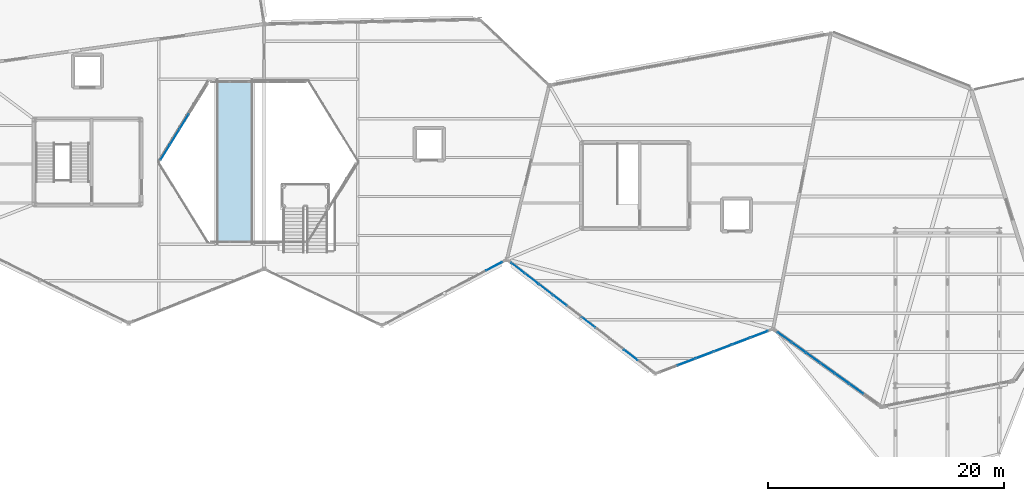
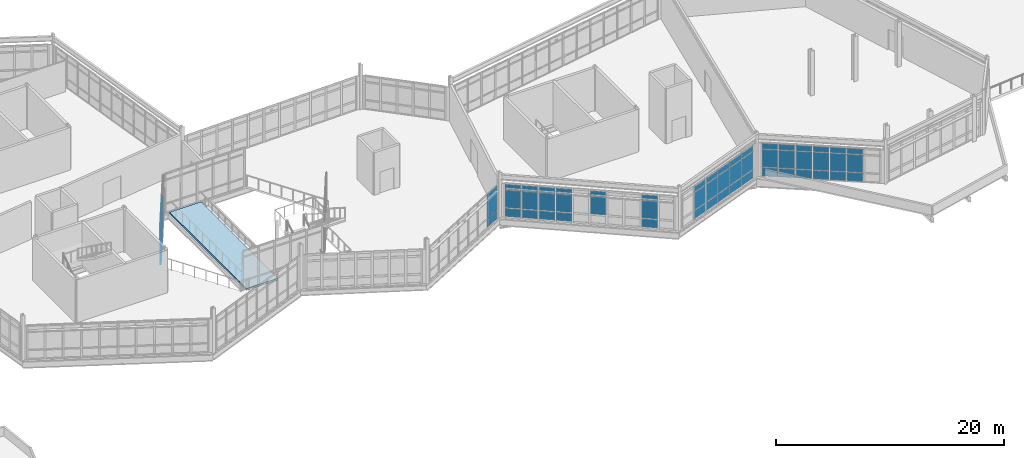
# One storey, part 47 of 76: 62 plates, 1 slab, 5 elements without a shape of their own.
"""IFC4 building model written with IfcOpenShell, lengths in metres."""

from ifc_helpers import new_model, si_unit, direction, frame, origin, origin_2d, place, context, subcontext, project, spatial, polyline, rectangle, outline, extrude, material, layer, layer_set, type_object, element, aggregate, save


model = new_model("IFC4")

# Units and contexts
model_context = context("Model", 3, precision=1e-05, world=origin(), true_north=direction((0.0, 1.0)))
body_context = subcontext(model_context, "Body", "Model", "MODEL_VIEW")
ifc_project = project(units=[si_unit("LENGTHUNIT", "METRE"), si_unit("AREAUNIT", "SQUARE_METRE"), si_unit("VOLUMEUNIT", "CUBIC_METRE"), si_unit("PLANEANGLEUNIT", "RADIAN"), si_unit("MASSUNIT", "GRAM", prefix="KILO")], contexts=[model_context])

# Site, building, storey
site_placement = place(None, origin())
site = spatial("IfcSite", under=ifc_project, at=site_placement, CompositionType="ELEMENT")
building_placement = place(site_placement, origin())
building = spatial("IfcBuilding", under=site, at=building_placement, Name="Tameran Prism Museum", CompositionType="ELEMENT")
storey_placement = place(building_placement, frame((0.0, 0.0, 15.0)))
storey = spatial("IfcBuildingStorey", under=building, at=storey_placement, Name="L03", CompositionType="ELEMENT", Elevation=15.0)

# Curtain wall, plates
ifc_material_1 = material(Name="Anodised Aluminium 6063-T6 and Cyclone Solar Glass", Category="aluminium")
curtain_wall_type_1 = type_object("IfcCurtainWallType", Name="CW-ATR-769x424", PredefinedType="USERDEFINED", material=ifc_material_1)
curtain_wall_1_placement = place(storey_placement, origin())
curtain_wall_1 = element("IfcCurtainWall", 1, at=curtain_wall_1_placement, inside=storey, type_object=curtain_wall_type_1, Name="Unitised Curtain Wall CW-014", ObjectType="UNITISED CURTAIN WALL", PredefinedType="USERDEFINED")
ifc_material_2 = material(Name="Low-E Laminated Solar Glass", Category="glass")
ifc_layer_1 = layer(ifc_material_2, 0.028076171875)
ifc_layer_set_1 = layer_set([ifc_layer_1])
plate_type_1 = type_object("IfcPlateType", Name="CW-PNL-G28", PredefinedType="CURTAIN_PANEL", material=ifc_layer_set_1)
plate_1_placement = place(storey_placement, frame((70.699951171875, 39.89990234375, 0.06494140625), z_axis=(0.0, 0.0, 1.0), x_axis=(-0.525503952357, -0.850791158897, 0.0)))
plate_1 = element("IfcPlate", 2, at=plate_1_placement, type_object=plate_type_1, Name="CW-014 panel 3.1", PredefinedType="CURTAIN_PANEL", context=body_context, shape_type="SweptSolid", body=[
    extrude(rectangle(XDim=1.473388671875, YDim=0.028076171875, at=origin_2d()), origin(), (0.0, 0.0, 1.0), 0.902587890625),
])
plate_2_placement = place(storey_placement, frame((70.699951171875, 39.89990234375, 1.032470703125), z_axis=(0.0, 0.0, 1.0), x_axis=(-0.525503952357, -0.850791158897, 0.0)))
plate_2 = element("IfcPlate", 3, at=plate_2_placement, type_object=plate_type_1, Name="CW-014 panel 3.2", PredefinedType="CURTAIN_PANEL", context=body_context, shape_type="SweptSolid", body=[
    extrude(rectangle(XDim=1.473388671875, YDim=0.028076171875, at=origin_2d()), origin(), (0.0, 0.0, 1.0), 2.4951171875),
])
plate_3_placement = place(storey_placement, frame((70.699951171875, 39.89990234375, 3.592529296875), z_axis=(0.0, 0.0, 1.0), x_axis=(-0.525503952357, -0.850791158897, 0.0)))
plate_3 = element("IfcPlate", 4, at=plate_3_placement, type_object=plate_type_1, Name="CW-014 panel 3.3", PredefinedType="CURTAIN_PANEL", context=body_context, shape_type="SweptSolid", body=[
    extrude(rectangle(XDim=1.473388671875, YDim=0.028076171875, at=origin_2d()), origin(), (0.0, 0.0, 1.0), 0.58251953125),
])
plate_4_placement = place(storey_placement, frame((69.8916015625, 38.59130859375, 0.06494140625), z_axis=(0.0, 0.0, 1.0), x_axis=(-0.525503952357, -0.850791158897, 0.0)))
plate_4 = element("IfcPlate", 5, at=plate_4_placement, type_object=plate_type_1, Name="CW-014 panel 4.1", PredefinedType="CURTAIN_PANEL", context=body_context, shape_type="SweptSolid", body=[
    extrude(rectangle(XDim=1.473388671875, YDim=0.028076171875, at=origin_2d()), origin(), (0.0, 0.0, 1.0), 0.902587890625),
])
plate_5_placement = place(storey_placement, frame((69.8916015625, 38.59130859375, 1.032470703125), z_axis=(0.0, 0.0, 1.0), x_axis=(-0.525503952357, -0.850791158897, 0.0)))
plate_5 = element("IfcPlate", 6, at=plate_5_placement, type_object=plate_type_1, Name="CW-014 panel 4.2", PredefinedType="CURTAIN_PANEL", context=body_context, shape_type="SweptSolid", body=[
    extrude(rectangle(XDim=1.473388671875, YDim=0.028076171875, at=origin_2d()), origin(), (0.0, 0.0, 1.0), 2.4951171875),
])
plate_6_placement = place(storey_placement, frame((69.8916015625, 38.59130859375, 3.592529296875), z_axis=(0.0, 0.0, 1.0), x_axis=(-0.525503952357, -0.850791158897, 0.0)))
plate_6 = element("IfcPlate", 7, at=plate_6_placement, type_object=plate_type_1, Name="CW-014 panel 4.3", PredefinedType="CURTAIN_PANEL", context=body_context, shape_type="SweptSolid", body=[
    extrude(rectangle(XDim=1.473388671875, YDim=0.028076171875, at=origin_2d()), origin(), (0.0, 0.0, 1.0), 0.58251953125),
])
plate_7_placement = place(storey_placement, frame((69.091796875, 37.296142578125, 0.06494140625), z_axis=(0.0, 0.0, 1.0), x_axis=(-0.525503952357, -0.850791158897, 0.0)))
plate_7 = element("IfcPlate", 8, at=plate_7_placement, type_object=plate_type_1, Name="CW-014 panel 5.1", PredefinedType="CURTAIN_PANEL", context=body_context, shape_type="SweptSolid", body=[
    extrude(rectangle(XDim=1.44091796875, YDim=0.028076171875, at=origin_2d()), origin(), (0.0, 0.0, 1.0), 0.902587890625),
])
plate_8_placement = place(storey_placement, frame((69.091796875, 37.296142578125, 1.032470703125), z_axis=(0.0, 0.0, 1.0), x_axis=(-0.525503952357, -0.850791158897, 0.0)))
plate_8 = element("IfcPlate", 9, at=plate_8_placement, type_object=plate_type_1, Name="CW-014 panel 5.2", PredefinedType="CURTAIN_PANEL", context=body_context, shape_type="SweptSolid", body=[
    extrude(rectangle(XDim=1.44091796875, YDim=0.028076171875, at=origin_2d()), origin(), (0.0, 0.0, 1.0), 2.4951171875),
])
plate_9_placement = place(storey_placement, frame((69.091796875, 37.296142578125, 3.592529296875), z_axis=(0.0, 0.0, 1.0), x_axis=(-0.525503952357, -0.850791158897, 0.0)))
plate_9 = element("IfcPlate", 10, at=plate_9_placement, type_object=plate_type_1, Name="CW-014 panel 5.3", PredefinedType="CURTAIN_PANEL", context=body_context, shape_type="SweptSolid", body=[
    extrude(rectangle(XDim=1.44091796875, YDim=0.028076171875, at=origin_2d()), origin(), (0.0, 0.0, 1.0), 0.58251953125),
])
aggregate(curtain_wall_1, [plate_1, plate_2, plate_3, plate_4, plate_5, plate_6, plate_7, plate_8, plate_9])

ifc_material_3 = material(Name="Anodised Aluminium 6063-T6 and Cyclone Solar Glass", Category="aluminium")
curtain_wall_type_2 = type_object("IfcCurtainWallType", Name="CW-FAC-1514x362", PredefinedType="USERDEFINED", material=ifc_material_3)
curtain_wall_2_placement = place(storey_placement, origin())
curtain_wall_2 = element("IfcCurtainWall", 11, at=curtain_wall_2_placement, inside=storey, type_object=curtain_wall_type_2, Name="Unitised Curtain Wall CW-145", ObjectType="UNITISED CURTAIN WALL", PredefinedType="USERDEFINED")
ifc_material_4 = material(Name="Cyclone Laminated Solar Glass", Category="glass")
ifc_layer_2 = layer(ifc_material_4, 0.031982421875)
ifc_layer_set_2 = layer_set([ifc_layer_2])
plate_type_2 = type_object("IfcPlateType", Name="CW-PNL-G32", PredefinedType="CURTAIN_PANEL", material=ifc_layer_set_2)
plate_10_placement = place(storey_placement, frame((108.623046875, 20.0986328125, 0.0751953125), z_axis=(0.0, 0.0, 1.0), x_axis=(-0.79240053299, 0.610001143702, 0.0)))
plate_10 = element("IfcPlate", 12, at=plate_10_placement, type_object=plate_type_2, Name="CW-145 panel 2.1", PredefinedType="CURTAIN_PANEL", context=body_context, shape_type="SweptSolid", body=[
    extrude(rectangle(XDim=1.439208984375, YDim=0.031982421875, at=origin_2d()), origin(), (0.0, 0.0, 1.0), 0.887451171875),
])
plate_11_placement = place(storey_placement, frame((108.623046875, 20.0986328125, 1.03759765625), z_axis=(0.0, 0.0, 1.0), x_axis=(-0.79240053299, 0.610001143702, 0.0)))
plate_11 = element("IfcPlate", 13, at=plate_11_placement, type_object=plate_type_2, Name="CW-145 panel 2.2", PredefinedType="CURTAIN_PANEL", context=body_context, shape_type="SweptSolid", body=[
    extrude(rectangle(XDim=1.439208984375, YDim=0.031982421875, at=origin_2d()), origin(), (0.0, 0.0, 1.0), 1.864990234375),
])
plate_12_placement = place(storey_placement, frame((108.623046875, 20.0986328125, 2.9775390625), z_axis=(0.0, 0.0, 1.0), x_axis=(-0.79240053299, 0.610001143702, 0.0)))
plate_12 = element("IfcPlate", 14, at=plate_12_placement, type_object=plate_type_2, Name="CW-145 panel 2.3", PredefinedType="CURTAIN_PANEL", context=body_context, shape_type="SweptSolid", body=[
    extrude(rectangle(XDim=1.439208984375, YDim=0.031982421875, at=origin_2d()), origin(), (0.0, 0.0, 1.0), 0.5673828125),
])
plate_13_placement = place(storey_placement, frame((105.0234375, 22.86962890625, 1.03759765625), z_axis=(0.0, 0.0, 1.0), x_axis=(-0.79240053299, 0.610001143702, 0.0)))
plate_13 = element("IfcPlate", 15, at=plate_13_placement, type_object=plate_type_2, Name="CW-145 panel 5.2", PredefinedType="CURTAIN_PANEL", context=body_context, shape_type="SweptSolid", body=[
    extrude(rectangle(XDim=1.439208984375, YDim=0.031982421875, at=origin_2d()), origin(), (0.0, 0.0, 1.0), 1.864990234375),
])
plate_14_placement = place(storey_placement, frame((105.0234375, 22.86962890625, 2.9775390625), z_axis=(0.0, 0.0, 1.0), x_axis=(-0.79240053299, 0.610001143702, 0.0)))
plate_14 = element("IfcPlate", 16, at=plate_14_placement, type_object=plate_type_2, Name="CW-145 panel 5.3", PredefinedType="CURTAIN_PANEL", context=body_context, shape_type="SweptSolid", body=[
    extrude(rectangle(XDim=1.439208984375, YDim=0.031982421875, at=origin_2d()), origin(), (0.0, 0.0, 1.0), 0.5673828125),
])
plate_15_placement = place(storey_placement, frame((102.62353515625, 24.717041015625, 0.0751953125), z_axis=(0.0, 0.0, 1.0), x_axis=(-0.79240053299, 0.610001143702, 0.0)))
plate_15 = element("IfcPlate", 17, at=plate_15_placement, type_object=plate_type_2, Name="CW-145 panel 7.1", PredefinedType="CURTAIN_PANEL", context=body_context, shape_type="SweptSolid", body=[
    extrude(rectangle(XDim=1.439208984375, YDim=0.031982421875, at=origin_2d()), origin(), (0.0, 0.0, 1.0), 0.887451171875),
])
plate_16_placement = place(storey_placement, frame((102.62353515625, 24.717041015625, 1.03759765625), z_axis=(0.0, 0.0, 1.0), x_axis=(-0.79240053299, 0.610001143702, 0.0)))
plate_16 = element("IfcPlate", 18, at=plate_16_placement, type_object=plate_type_2, Name="CW-145 panel 7.2", PredefinedType="CURTAIN_PANEL", context=body_context, shape_type="SweptSolid", body=[
    extrude(rectangle(XDim=1.439208984375, YDim=0.031982421875, at=origin_2d()), origin(), (0.0, 0.0, 1.0), 1.864990234375),
])
plate_17_placement = place(storey_placement, frame((102.62353515625, 24.717041015625, 2.9775390625), z_axis=(0.0, 0.0, 1.0), x_axis=(-0.79240053299, 0.610001143702, 0.0)))
plate_17 = element("IfcPlate", 19, at=plate_17_placement, type_object=plate_type_2, Name="CW-145 panel 7.3", PredefinedType="CURTAIN_PANEL", context=body_context, shape_type="SweptSolid", body=[
    extrude(rectangle(XDim=1.439208984375, YDim=0.031982421875, at=origin_2d()), origin(), (0.0, 0.0, 1.0), 0.5673828125),
])
plate_18_placement = place(storey_placement, frame((101.423828125, 25.640869140625, 0.0751953125), z_axis=(0.0, 0.0, 1.0), x_axis=(-0.79240053299, 0.610001143702, 0.0)))
plate_18 = element("IfcPlate", 20, at=plate_18_placement, type_object=plate_type_2, Name="CW-145 panel 8.1", PredefinedType="CURTAIN_PANEL", context=body_context, shape_type="SweptSolid", body=[
    extrude(rectangle(XDim=1.439208984375, YDim=0.031982421875, at=origin_2d()), origin(), (0.0, 0.0, 1.0), 0.887451171875),
])
plate_19_placement = place(storey_placement, frame((101.423828125, 25.640869140625, 1.03759765625), z_axis=(0.0, 0.0, 1.0), x_axis=(-0.79240053299, 0.610001143702, 0.0)))
plate_19 = element("IfcPlate", 21, at=plate_19_placement, type_object=plate_type_2, Name="CW-145 panel 8.2", PredefinedType="CURTAIN_PANEL", context=body_context, shape_type="SweptSolid", body=[
    extrude(rectangle(XDim=1.439208984375, YDim=0.031982421875, at=origin_2d()), origin(), (0.0, 0.0, 1.0), 1.864990234375),
])
plate_20_placement = place(storey_placement, frame((101.423828125, 25.640869140625, 2.9775390625), z_axis=(0.0, 0.0, 1.0), x_axis=(-0.79240053299, 0.610001143702, 0.0)))
plate_20 = element("IfcPlate", 22, at=plate_20_placement, type_object=plate_type_2, Name="CW-145 panel 8.3", PredefinedType="CURTAIN_PANEL", context=body_context, shape_type="SweptSolid", body=[
    extrude(rectangle(XDim=1.439208984375, YDim=0.031982421875, at=origin_2d()), origin(), (0.0, 0.0, 1.0), 0.5673828125),
])
plate_21_placement = place(storey_placement, frame((100.223876953125, 26.564453125, 0.0751953125), z_axis=(0.0, 0.0, 1.0), x_axis=(-0.79240053299, 0.610001143702, 0.0)))
plate_21 = element("IfcPlate", 23, at=plate_21_placement, type_object=plate_type_2, Name="CW-145 panel 9.1", PredefinedType="CURTAIN_PANEL", context=body_context, shape_type="SweptSolid", body=[
    extrude(rectangle(XDim=1.439208984375, YDim=0.031982421875, at=origin_2d()), origin(), (0.0, 0.0, 1.0), 0.887451171875),
])
plate_22_placement = place(storey_placement, frame((100.223876953125, 26.564453125, 1.03759765625), z_axis=(0.0, 0.0, 1.0), x_axis=(-0.79240053299, 0.610001143702, 0.0)))
plate_22 = element("IfcPlate", 24, at=plate_22_placement, type_object=plate_type_2, Name="CW-145 panel 9.2", PredefinedType="CURTAIN_PANEL", context=body_context, shape_type="SweptSolid", body=[
    extrude(rectangle(XDim=1.439208984375, YDim=0.031982421875, at=origin_2d()), origin(), (0.0, 0.0, 1.0), 1.864990234375),
])
plate_23_placement = place(storey_placement, frame((100.223876953125, 26.564453125, 2.9775390625), z_axis=(0.0, 0.0, 1.0), x_axis=(-0.79240053299, 0.610001143702, 0.0)))
plate_23 = element("IfcPlate", 25, at=plate_23_placement, type_object=plate_type_2, Name="CW-145 panel 9.3", PredefinedType="CURTAIN_PANEL", context=body_context, shape_type="SweptSolid", body=[
    extrude(rectangle(XDim=1.439208984375, YDim=0.031982421875, at=origin_2d()), origin(), (0.0, 0.0, 1.0), 0.5673828125),
])
plate_24_placement = place(storey_placement, frame((99.038818359375, 27.476806640625, 0.0751953125), z_axis=(0.0, 0.0, 1.0), x_axis=(-0.79240053299, 0.610001143702, 0.0)))
plate_24 = element("IfcPlate", 26, at=plate_24_placement, type_object=plate_type_2, Name="CW-145 panel 10.1", PredefinedType="CURTAIN_PANEL", context=body_context, shape_type="SweptSolid", body=[
    extrude(rectangle(XDim=1.40185546875, YDim=0.031982421875, at=origin_2d()), origin(), (0.0, 0.0, 1.0), 0.887451171875),
])
plate_25_placement = place(storey_placement, frame((99.038818359375, 27.476806640625, 1.03759765625), z_axis=(0.0, 0.0, 1.0), x_axis=(-0.79240053299, 0.610001143702, 0.0)))
plate_25 = element("IfcPlate", 27, at=plate_25_placement, type_object=plate_type_2, Name="CW-145 panel 10.2", PredefinedType="CURTAIN_PANEL", context=body_context, shape_type="SweptSolid", body=[
    extrude(rectangle(XDim=1.40185546875, YDim=0.031982421875, at=origin_2d()), origin(), (0.0, 0.0, 1.0), 1.864990234375),
])
plate_26_placement = place(storey_placement, frame((99.038818359375, 27.476806640625, 2.9775390625), z_axis=(0.0, 0.0, 1.0), x_axis=(-0.79240053299, 0.610001143702, 0.0)))
plate_26 = element("IfcPlate", 28, at=plate_26_placement, type_object=plate_type_2, Name="CW-145 panel 10.3", PredefinedType="CURTAIN_PANEL", context=body_context, shape_type="SweptSolid", body=[
    extrude(rectangle(XDim=1.40185546875, YDim=0.031982421875, at=origin_2d()), origin(), (0.0, 0.0, 1.0), 0.5673828125),
])
aggregate(curtain_wall_2, [plate_10, plate_11, plate_12, plate_13, plate_14, plate_15, plate_16, plate_17, plate_18, plate_19, plate_20, plate_21, plate_22, plate_23, plate_24, plate_25, plate_26])

ifc_material_5 = material(Name="Anodised Aluminium 6063-T6 and Cyclone Solar Glass", Category="aluminium")
curtain_wall_type_3 = type_object("IfcCurtainWallType", Name="CW-FAC-1056x362", PredefinedType="USERDEFINED", material=ifc_material_5)
curtain_wall_3_placement = place(storey_placement, origin())
curtain_wall_3 = element("IfcCurtainWall", 29, at=curtain_wall_3_placement, inside=storey, type_object=curtain_wall_type_3, Name="Unitised Curtain Wall CW-148", ObjectType="UNITISED CURTAIN WALL", PredefinedType="USERDEFINED")
plate_27_placement = place(storey_placement, frame((127.77685546875, 17.223388671875, 0.070068359375), z_axis=(0.0, 0.0, 1.0), x_axis=(-0.812554821293, 0.582884776259, 0.0)))
plate_27 = element("IfcPlate", 30, at=plate_27_placement, type_object=plate_type_2, Name="CW-148 panel 2.1", PredefinedType="CURTAIN_PANEL", context=body_context, shape_type="SweptSolid", body=[
    extrude(rectangle(XDim=1.43896484375, YDim=0.031982421875, at=origin_2d()), origin(), (0.0, 0.0, 1.0), 0.89501953125),
])
plate_28_placement = place(storey_placement, frame((127.77685546875, 17.223388671875, 1.034912109375), z_axis=(0.0, 0.0, 1.0), x_axis=(-0.812554821293, 0.582884776259, 0.0)))
plate_28 = element("IfcPlate", 31, at=plate_28_placement, type_object=plate_type_2, Name="CW-148 panel 2.2", PredefinedType="CURTAIN_PANEL", context=body_context, shape_type="SweptSolid", body=[
    extrude(rectangle(XDim=1.43896484375, YDim=0.031982421875, at=origin_2d()), origin(), (0.0, 0.0, 1.0), 1.8701171875),
])
plate_29_placement = place(storey_placement, frame((127.77685546875, 17.223388671875, 2.97509765625), z_axis=(0.0, 0.0, 1.0), x_axis=(-0.812554821293, 0.582884776259, 0.0)))
plate_29 = element("IfcPlate", 32, at=plate_29_placement, type_object=plate_type_2, Name="CW-148 panel 2.3", PredefinedType="CURTAIN_PANEL", context=body_context, shape_type="SweptSolid", body=[
    extrude(rectangle(XDim=1.43896484375, YDim=0.031982421875, at=origin_2d()), origin(), (0.0, 0.0, 1.0), 0.574951171875),
])
plate_30_placement = place(storey_placement, frame((126.550537109375, 18.10302734375, 0.070068359375), z_axis=(0.0, 0.0, 1.0), x_axis=(-0.812554821293, 0.582884776259, 0.0)))
plate_30 = element("IfcPlate", 33, at=plate_30_placement, type_object=plate_type_2, Name="CW-148 panel 3.1", PredefinedType="CURTAIN_PANEL", context=body_context, shape_type="SweptSolid", body=[
    extrude(rectangle(XDim=1.43896484375, YDim=0.031982421875, at=origin_2d()), origin(), (0.0, 0.0, 1.0), 0.89501953125),
])
plate_31_placement = place(storey_placement, frame((126.550537109375, 18.10302734375, 1.034912109375), z_axis=(0.0, 0.0, 1.0), x_axis=(-0.812554821293, 0.582884776259, 0.0)))
plate_31 = element("IfcPlate", 34, at=plate_31_placement, type_object=plate_type_2, Name="CW-148 panel 3.2", PredefinedType="CURTAIN_PANEL", context=body_context, shape_type="SweptSolid", body=[
    extrude(rectangle(XDim=1.43896484375, YDim=0.031982421875, at=origin_2d()), origin(), (0.0, 0.0, 1.0), 1.8701171875),
])
plate_32_placement = place(storey_placement, frame((126.550537109375, 18.10302734375, 2.97509765625), z_axis=(0.0, 0.0, 1.0), x_axis=(-0.812554821293, 0.582884776259, 0.0)))
plate_32 = element("IfcPlate", 35, at=plate_32_placement, type_object=plate_type_2, Name="CW-148 panel 3.3", PredefinedType="CURTAIN_PANEL", context=body_context, shape_type="SweptSolid", body=[
    extrude(rectangle(XDim=1.43896484375, YDim=0.031982421875, at=origin_2d()), origin(), (0.0, 0.0, 1.0), 0.574951171875),
])
plate_33_placement = place(storey_placement, frame((125.324462890625, 18.982421875, 0.070068359375), z_axis=(0.0, 0.0, 1.0), x_axis=(-0.812554821293, 0.582884776259, 0.0)))
plate_33 = element("IfcPlate", 36, at=plate_33_placement, type_object=plate_type_2, Name="CW-148 panel 4.1", PredefinedType="CURTAIN_PANEL", context=body_context, shape_type="SweptSolid", body=[
    extrude(rectangle(XDim=1.43896484375, YDim=0.031982421875, at=origin_2d()), origin(), (0.0, 0.0, 1.0), 0.89501953125),
])
plate_34_placement = place(storey_placement, frame((125.324462890625, 18.982421875, 1.034912109375), z_axis=(0.0, 0.0, 1.0), x_axis=(-0.812554821293, 0.582884776259, 0.0)))
plate_34 = element("IfcPlate", 37, at=plate_34_placement, type_object=plate_type_2, Name="CW-148 panel 4.2", PredefinedType="CURTAIN_PANEL", context=body_context, shape_type="SweptSolid", body=[
    extrude(rectangle(XDim=1.43896484375, YDim=0.031982421875, at=origin_2d()), origin(), (0.0, 0.0, 1.0), 1.8701171875),
])
plate_35_placement = place(storey_placement, frame((125.324462890625, 18.982421875, 2.97509765625), z_axis=(0.0, 0.0, 1.0), x_axis=(-0.812554821293, 0.582884776259, 0.0)))
plate_35 = element("IfcPlate", 38, at=plate_35_placement, type_object=plate_type_2, Name="CW-148 panel 4.3", PredefinedType="CURTAIN_PANEL", context=body_context, shape_type="SweptSolid", body=[
    extrude(rectangle(XDim=1.43896484375, YDim=0.031982421875, at=origin_2d()), origin(), (0.0, 0.0, 1.0), 0.574951171875),
])
plate_36_placement = place(storey_placement, frame((124.098388671875, 19.862060546875, 0.070068359375), z_axis=(0.0, 0.0, 1.0), x_axis=(-0.812554821293, 0.582884776259, 0.0)))
plate_36 = element("IfcPlate", 39, at=plate_36_placement, type_object=plate_type_2, Name="CW-148 panel 5.1", PredefinedType="CURTAIN_PANEL", context=body_context, shape_type="SweptSolid", body=[
    extrude(rectangle(XDim=1.43896484375, YDim=0.031982421875, at=origin_2d()), origin(), (0.0, 0.0, 1.0), 0.89501953125),
])
plate_37_placement = place(storey_placement, frame((124.098388671875, 19.862060546875, 1.034912109375), z_axis=(0.0, 0.0, 1.0), x_axis=(-0.812554821293, 0.582884776259, 0.0)))
plate_37 = element("IfcPlate", 40, at=plate_37_placement, type_object=plate_type_2, Name="CW-148 panel 5.2", PredefinedType="CURTAIN_PANEL", context=body_context, shape_type="SweptSolid", body=[
    extrude(rectangle(XDim=1.43896484375, YDim=0.031982421875, at=origin_2d()), origin(), (0.0, 0.0, 1.0), 1.8701171875),
])
plate_38_placement = place(storey_placement, frame((124.098388671875, 19.862060546875, 2.97509765625), z_axis=(0.0, 0.0, 1.0), x_axis=(-0.812554821293, 0.582884776259, 0.0)))
plate_38 = element("IfcPlate", 41, at=plate_38_placement, type_object=plate_type_2, Name="CW-148 panel 5.3", PredefinedType="CURTAIN_PANEL", context=body_context, shape_type="SweptSolid", body=[
    extrude(rectangle(XDim=1.43896484375, YDim=0.031982421875, at=origin_2d()), origin(), (0.0, 0.0, 1.0), 0.574951171875),
])
plate_39_placement = place(storey_placement, frame((122.872314453125, 20.74169921875, 0.070068359375), z_axis=(0.0, 0.0, 1.0), x_axis=(-0.812554821293, 0.582884776259, 0.0)))
plate_39 = element("IfcPlate", 42, at=plate_39_placement, type_object=plate_type_2, Name="CW-148 panel 6.1", PredefinedType="CURTAIN_PANEL", context=body_context, shape_type="SweptSolid", body=[
    extrude(rectangle(XDim=1.43896484375, YDim=0.031982421875, at=origin_2d()), origin(), (0.0, 0.0, 1.0), 0.89501953125),
])
plate_40_placement = place(storey_placement, frame((122.872314453125, 20.74169921875, 1.034912109375), z_axis=(0.0, 0.0, 1.0), x_axis=(-0.812554821293, 0.582884776259, 0.0)))
plate_40 = element("IfcPlate", 43, at=plate_40_placement, type_object=plate_type_2, Name="CW-148 panel 6.2", PredefinedType="CURTAIN_PANEL", context=body_context, shape_type="SweptSolid", body=[
    extrude(rectangle(XDim=1.43896484375, YDim=0.031982421875, at=origin_2d()), origin(), (0.0, 0.0, 1.0), 1.8701171875),
])
plate_41_placement = place(storey_placement, frame((122.872314453125, 20.74169921875, 2.97509765625), z_axis=(0.0, 0.0, 1.0), x_axis=(-0.812554821293, 0.582884776259, 0.0)))
plate_41 = element("IfcPlate", 44, at=plate_41_placement, type_object=plate_type_2, Name="CW-148 panel 6.3", PredefinedType="CURTAIN_PANEL", context=body_context, shape_type="SweptSolid", body=[
    extrude(rectangle(XDim=1.43896484375, YDim=0.031982421875, at=origin_2d()), origin(), (0.0, 0.0, 1.0), 0.574951171875),
])
plate_42_placement = place(storey_placement, frame((121.660400390625, 21.611083984375, 0.070068359375), z_axis=(0.0, 0.0, 1.0), x_axis=(-0.812554821293, 0.582884776259, 0.0)))
plate_42 = element("IfcPlate", 45, at=plate_42_placement, type_object=plate_type_2, Name="CW-148 panel 7.1", PredefinedType="CURTAIN_PANEL", context=body_context, shape_type="SweptSolid", body=[
    extrude(rectangle(XDim=1.404052734375, YDim=0.031982421875, at=origin_2d()), origin(), (0.0, 0.0, 1.0), 0.89501953125),
])
plate_43_placement = place(storey_placement, frame((121.660400390625, 21.611083984375, 1.034912109375), z_axis=(0.0, 0.0, 1.0), x_axis=(-0.812554821293, 0.582884776259, 0.0)))
plate_43 = element("IfcPlate", 46, at=plate_43_placement, type_object=plate_type_2, Name="CW-148 panel 7.2", PredefinedType="CURTAIN_PANEL", context=body_context, shape_type="SweptSolid", body=[
    extrude(rectangle(XDim=1.404052734375, YDim=0.031982421875, at=origin_2d()), origin(), (0.0, 0.0, 1.0), 1.8701171875),
])
plate_44_placement = place(storey_placement, frame((121.660400390625, 21.611083984375, 2.97509765625), z_axis=(0.0, 0.0, 1.0), x_axis=(-0.812554821293, 0.582884776259, 0.0)))
plate_44 = element("IfcPlate", 47, at=plate_44_placement, type_object=plate_type_2, Name="CW-148 panel 7.3", PredefinedType="CURTAIN_PANEL", context=body_context, shape_type="SweptSolid", body=[
    extrude(rectangle(XDim=1.404052734375, YDim=0.031982421875, at=origin_2d()), origin(), (0.0, 0.0, 1.0), 0.574951171875),
])
aggregate(curtain_wall_3, [plate_27, plate_28, plate_29, plate_30, plate_31, plate_32, plate_33, plate_34, plate_35, plate_36, plate_37, plate_38, plate_39, plate_40, plate_41, plate_42, plate_43, plate_44])

ifc_material_6 = material(Name="Anodised Aluminium 6063-T6 and Cyclone Solar Glass", Category="aluminium")
curtain_wall_type_4 = type_object("IfcCurtainWallType", Name="CW-FAC-1123x362", PredefinedType="USERDEFINED", material=ifc_material_6)
curtain_wall_4_placement = place(storey_placement, origin())
curtain_wall_4 = element("IfcCurtainWall", 48, at=curtain_wall_4_placement, inside=storey, type_object=curtain_wall_type_4, Name="Unitised Curtain Wall CW-139", ObjectType="UNITISED CURTAIN WALL", PredefinedType="USERDEFINED")
ifc_material_7 = material(Name="Insulated Aluminium Spandrel Panel", Category="aluminium")
ifc_layer_3 = layer(ifc_material_7, 0.0400390625)
ifc_layer_set_3 = layer_set([ifc_layer_3])
plate_type_3 = type_object("IfcPlateType", Name="CW-PNL-S40", PredefinedType="CURTAIN_PANEL", material=ifc_layer_set_3)
plate_45_placement = place(storey_placement, frame((97.014404296875, 27.626708984375, 0.06494140625), z_axis=(0.0, 0.0, 1.0), x_axis=(-0.884175340483, -0.467155185438, 0.0)))
plate_45 = element("IfcPlate", 49, at=plate_45_placement, type_object=plate_type_3, Name="CW-139 panel 1.1", PredefinedType="CURTAIN_PANEL", context=body_context, shape_type="SweptSolid", body=[
    extrude(rectangle(XDim=1.5068359375, YDim=0.0400390625, at=origin_2d()), origin(), (0.0, 0.0, 1.0), 0.902587890625),
])
plate_46_placement = place(storey_placement, frame((97.014404296875, 27.626708984375, 1.032470703125), z_axis=(0.0, 0.0, 1.0), x_axis=(-0.884175340483, -0.467155185438, 0.0)))
plate_46 = element("IfcPlate", 50, at=plate_46_placement, type_object=plate_type_3, Name="CW-139 panel 1.2", PredefinedType="CURTAIN_PANEL", context=body_context, shape_type="SweptSolid", body=[
    extrude(rectangle(XDim=1.5068359375, YDim=0.0400390625, at=origin_2d()), origin(), (0.0, 0.0, 1.0), 1.875),
])
plate_47_placement = place(storey_placement, frame((97.014404296875, 27.626708984375, 2.972412109375), z_axis=(0.0, 0.0, 1.0), x_axis=(-0.884175340483, -0.467155185438, 0.0)))
plate_47 = element("IfcPlate", 51, at=plate_47_placement, type_object=plate_type_3, Name="CW-139 panel 1.3", PredefinedType="CURTAIN_PANEL", context=body_context, shape_type="SweptSolid", body=[
    extrude(rectangle(XDim=1.5068359375, YDim=0.0400390625, at=origin_2d()), origin(), (0.0, 0.0, 1.0), 0.58251953125),
])
aggregate(curtain_wall_4, [plate_45, plate_46, plate_47])

ifc_material_8 = material(Name="Anodised Aluminium 6063-T6 and Cyclone Solar Glass", Category="aluminium")
curtain_wall_type_5 = type_object("IfcCurtainWallType", Name="CW-FAC-994x362", PredefinedType="USERDEFINED", material=ifc_material_8)
curtain_wall_5_placement = place(storey_placement, origin())
curtain_wall_5 = element("IfcCurtainWall", 52, at=curtain_wall_5_placement, inside=storey, type_object=curtain_wall_type_5, Name="Unitised Curtain Wall CW-146", ObjectType="UNITISED CURTAIN WALL", PredefinedType="USERDEFINED")
plate_48_placement = place(storey_placement, frame((119.524169921875, 21.853759765625, 0.080078125), z_axis=(0.0, 0.0, 1.0), x_axis=(-0.934756849189, -0.355288098442, 0.0)))
plate_48 = element("IfcPlate", 53, at=plate_48_placement, type_object=plate_type_3, Name="CW-146 panel 1.1", PredefinedType="CURTAIN_PANEL", context=body_context, shape_type="SweptSolid", body=[
    extrude(rectangle(XDim=1.536376953125, YDim=0.0400390625, at=origin_2d()), origin(), (0.0, 0.0, 1.0), 0.8798828125),
])
plate_49_placement = place(storey_placement, frame((119.524169921875, 21.853759765625, 1.0400390625), z_axis=(0.0, 0.0, 1.0), x_axis=(-0.934756849189, -0.355288098442, 0.0)))
plate_49 = element("IfcPlate", 54, at=plate_49_placement, type_object=plate_type_3, Name="CW-146 panel 1.2", PredefinedType="CURTAIN_PANEL", context=body_context, shape_type="SweptSolid", body=[
    extrude(rectangle(XDim=1.536376953125, YDim=0.0400390625, at=origin_2d()), origin(), (0.0, 0.0, 1.0), 1.860107421875),
])
plate_50_placement = place(storey_placement, frame((119.524169921875, 21.853759765625, 2.97998046875), z_axis=(0.0, 0.0, 1.0), x_axis=(-0.934756849189, -0.355288098442, 0.0)))
plate_50 = element("IfcPlate", 55, at=plate_50_placement, type_object=plate_type_3, Name="CW-146 panel 1.3", PredefinedType="CURTAIN_PANEL", context=body_context, shape_type="SweptSolid", body=[
    extrude(rectangle(XDim=1.536376953125, YDim=0.0400390625, at=origin_2d()), origin(), (0.0, 0.0, 1.0), 0.56005859375),
])
plate_51_placement = place(storey_placement, frame((117.994384765625, 21.272216796875, 0.080078125), z_axis=(0.0, 0.0, 1.0), x_axis=(-0.934756849189, -0.355288098442, 0.0)))
plate_51 = element("IfcPlate", 56, at=plate_51_placement, type_object=plate_type_3, Name="CW-146 panel 2.1", PredefinedType="CURTAIN_PANEL", context=body_context, shape_type="SweptSolid", body=[
    extrude(rectangle(XDim=1.576416015625, YDim=0.0400390625, at=origin_2d()), origin(), (0.0, 0.0, 1.0), 0.8798828125),
])
plate_52_placement = place(storey_placement, frame((117.994384765625, 21.272216796875, 1.0400390625), z_axis=(0.0, 0.0, 1.0), x_axis=(-0.934756849189, -0.355288098442, 0.0)))
plate_52 = element("IfcPlate", 57, at=plate_52_placement, type_object=plate_type_3, Name="CW-146 panel 2.2", PredefinedType="CURTAIN_PANEL", context=body_context, shape_type="SweptSolid", body=[
    extrude(rectangle(XDim=1.576416015625, YDim=0.0400390625, at=origin_2d()), origin(), (0.0, 0.0, 1.0), 1.860107421875),
])
plate_53_placement = place(storey_placement, frame((117.994384765625, 21.272216796875, 2.97998046875), z_axis=(0.0, 0.0, 1.0), x_axis=(-0.934756849189, -0.355288098442, 0.0)))
plate_53 = element("IfcPlate", 58, at=plate_53_placement, type_object=plate_type_3, Name="CW-146 panel 2.3", PredefinedType="CURTAIN_PANEL", context=body_context, shape_type="SweptSolid", body=[
    extrude(rectangle(XDim=1.576416015625, YDim=0.0400390625, at=origin_2d()), origin(), (0.0, 0.0, 1.0), 0.56005859375),
])
plate_54_placement = place(storey_placement, frame((116.446044921875, 20.683837890625, 0.080078125), z_axis=(0.0, 0.0, 1.0), x_axis=(-0.934756849189, -0.355288098442, 0.0)))
plate_54 = element("IfcPlate", 59, at=plate_54_placement, type_object=plate_type_3, Name="CW-146 panel 3.1", PredefinedType="CURTAIN_PANEL", context=body_context, shape_type="SweptSolid", body=[
    extrude(rectangle(XDim=1.576416015625, YDim=0.0400390625, at=origin_2d()), origin(), (0.0, 0.0, 1.0), 0.8798828125),
])
plate_55_placement = place(storey_placement, frame((116.446044921875, 20.683837890625, 1.0400390625), z_axis=(0.0, 0.0, 1.0), x_axis=(-0.934756849189, -0.355288098442, 0.0)))
plate_55 = element("IfcPlate", 60, at=plate_55_placement, type_object=plate_type_3, Name="CW-146 panel 3.2", PredefinedType="CURTAIN_PANEL", context=body_context, shape_type="SweptSolid", body=[
    extrude(rectangle(XDim=1.576416015625, YDim=0.0400390625, at=origin_2d()), origin(), (0.0, 0.0, 1.0), 1.860107421875),
])
plate_56_placement = place(storey_placement, frame((116.446044921875, 20.683837890625, 2.97998046875), z_axis=(0.0, 0.0, 1.0), x_axis=(-0.934756849189, -0.355288098442, 0.0)))
plate_56 = element("IfcPlate", 61, at=plate_56_placement, type_object=plate_type_3, Name="CW-146 panel 3.3", PredefinedType="CURTAIN_PANEL", context=body_context, shape_type="SweptSolid", body=[
    extrude(rectangle(XDim=1.576416015625, YDim=0.0400390625, at=origin_2d()), origin(), (0.0, 0.0, 1.0), 0.56005859375),
])
plate_57_placement = place(storey_placement, frame((114.89794921875, 20.09521484375, 0.080078125), z_axis=(0.0, 0.0, 1.0), x_axis=(-0.934756849189, -0.355288098442, 0.0)))
plate_57 = element("IfcPlate", 62, at=plate_57_placement, type_object=plate_type_3, Name="CW-146 panel 4.1", PredefinedType="CURTAIN_PANEL", context=body_context, shape_type="SweptSolid", body=[
    extrude(rectangle(XDim=1.576416015625, YDim=0.0400390625, at=origin_2d()), origin(), (0.0, 0.0, 1.0), 0.8798828125),
])
plate_58_placement = place(storey_placement, frame((114.89794921875, 20.09521484375, 1.0400390625), z_axis=(0.0, 0.0, 1.0), x_axis=(-0.934756849189, -0.355288098442, 0.0)))
plate_58 = element("IfcPlate", 63, at=plate_58_placement, type_object=plate_type_3, Name="CW-146 panel 4.2", PredefinedType="CURTAIN_PANEL", context=body_context, shape_type="SweptSolid", body=[
    extrude(rectangle(XDim=1.576416015625, YDim=0.0400390625, at=origin_2d()), origin(), (0.0, 0.0, 1.0), 1.860107421875),
])
plate_59_placement = place(storey_placement, frame((114.89794921875, 20.09521484375, 2.97998046875), z_axis=(0.0, 0.0, 1.0), x_axis=(-0.934756849189, -0.355288098442, 0.0)))
plate_59 = element("IfcPlate", 64, at=plate_59_placement, type_object=plate_type_3, Name="CW-146 panel 4.3", PredefinedType="CURTAIN_PANEL", context=body_context, shape_type="SweptSolid", body=[
    extrude(rectangle(XDim=1.576416015625, YDim=0.0400390625, at=origin_2d()), origin(), (0.0, 0.0, 1.0), 0.56005859375),
])
plate_60_placement = place(storey_placement, frame((113.349609375, 19.5068359375, 0.080078125), z_axis=(0.0, 0.0, 1.0), x_axis=(-0.934756849189, -0.355288098442, 0.0)))
plate_60 = element("IfcPlate", 65, at=plate_60_placement, type_object=plate_type_3, Name="CW-146 panel 5.1", PredefinedType="CURTAIN_PANEL", context=body_context, shape_type="SweptSolid", body=[
    extrude(rectangle(XDim=1.576416015625, YDim=0.0400390625, at=origin_2d()), origin(), (0.0, 0.0, 1.0), 0.8798828125),
])
plate_61_placement = place(storey_placement, frame((113.349609375, 19.5068359375, 1.0400390625), z_axis=(0.0, 0.0, 1.0), x_axis=(-0.934756849189, -0.355288098442, 0.0)))
plate_61 = element("IfcPlate", 66, at=plate_61_placement, type_object=plate_type_3, Name="CW-146 panel 5.2", PredefinedType="CURTAIN_PANEL", context=body_context, shape_type="SweptSolid", body=[
    extrude(rectangle(XDim=1.576416015625, YDim=0.0400390625, at=origin_2d()), origin(), (0.0, 0.0, 1.0), 1.860107421875),
])
plate_62_placement = place(storey_placement, frame((113.349609375, 19.5068359375, 2.97998046875), z_axis=(0.0, 0.0, 1.0), x_axis=(-0.934756849189, -0.355288098442, 0.0)))
plate_62 = element("IfcPlate", 67, at=plate_62_placement, type_object=plate_type_3, Name="CW-146 panel 5.3", PredefinedType="CURTAIN_PANEL", context=body_context, shape_type="SweptSolid", body=[
    extrude(rectangle(XDim=1.576416015625, YDim=0.0400390625, at=origin_2d()), origin(), (0.0, 0.0, 1.0), 0.56005859375),
])
aggregate(curtain_wall_5, [plate_48, plate_49, plate_50, plate_51, plate_52, plate_53, plate_54, plate_55, plate_56, plate_57, plate_58, plate_59, plate_60, plate_61, plate_62])

# Slab
ifc_material_9 = material(Name="Concrete N32 (32 MPa)", Category="concrete")
ifc_layer_4 = layer(ifc_material_9, 0.18994140625)
ifc_layer_set_4 = layer_set([ifc_layer_4])
slab_type = type_object("IfcSlabType", Name="SL-FLR-190", PredefinedType="FLOOR", material=ifc_layer_set_4)
slab_placement = place(storey_placement, frame((0.0, 0.0, -0.18994140625)))
element("IfcSlab", 68, at=slab_placement, inside=storey, type_object=slab_type, Name="Atrium Bridge Deck L03", PredefinedType="FLOOR", context=body_context, shape_type="SweptSolid", body=[
    extrude(outline(polyline([(73.39990234375, 29.75), (73.39990234375, 43.25), (76.60009765625, 43.25), (76.60009765625, 29.75), (73.39990234375, 29.75)])), origin(), (0.0, 0.0, 1.0), 0.18994140625),
])

save(model, "model.ifc")
